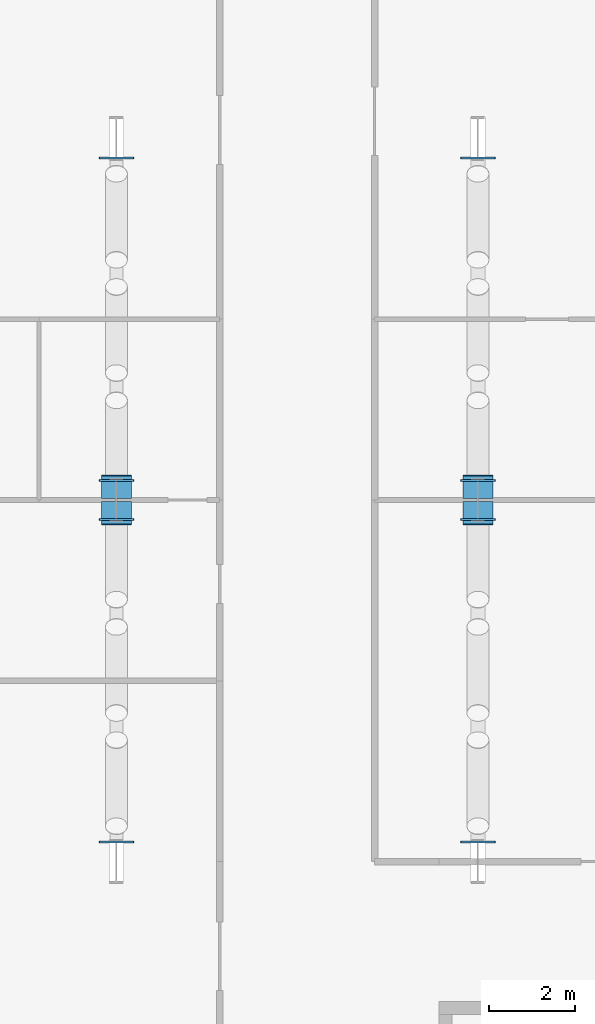
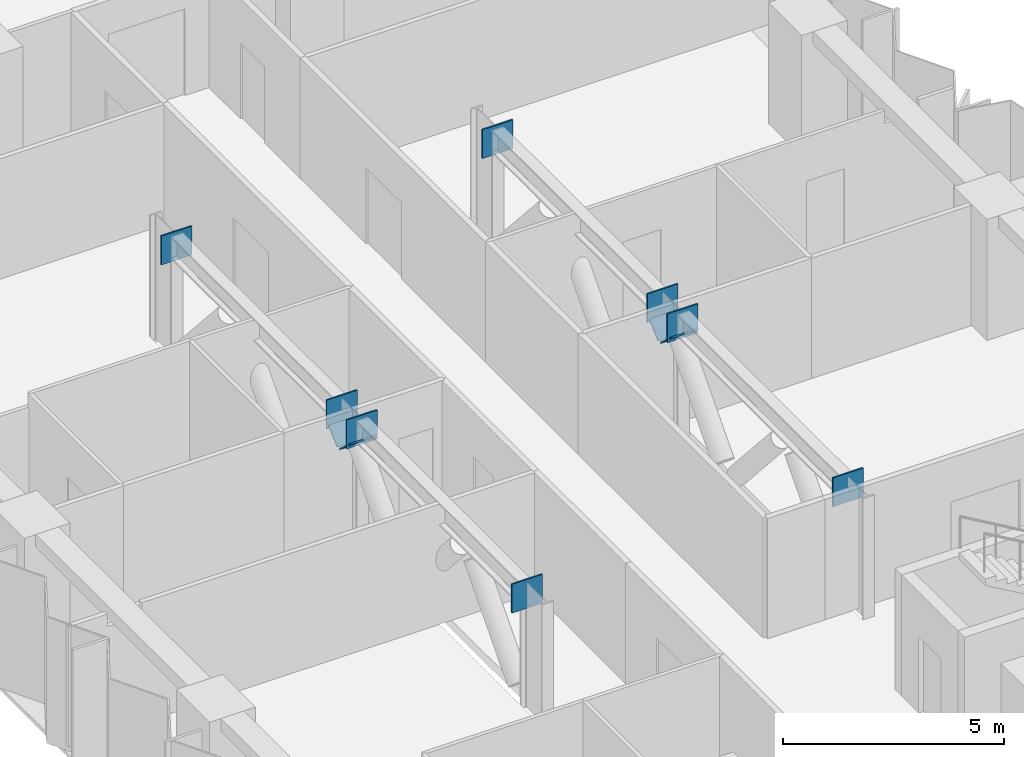
# One storey, part 15 of 18: 12 discrete accessories.
"""IFC4 building model written with IfcOpenShell, lengths in metres."""

from ifc_helpers import new_model, si_unit, direction, frame, origin, origin_2d, place, context, subcontext, project, spatial, rectangle, extrude, material, layer, layer_set, type_object, element, save


model = new_model("IFC4")

# Units and contexts
model_context = context("Model", 3, precision=1e-05, world=origin(), true_north=direction((0.0, 1.0)))
body_context = subcontext(model_context, "Body", "Model", "MODEL_VIEW")
ifc_project = project(units=[si_unit("LENGTHUNIT", "METRE"), si_unit("AREAUNIT", "SQUARE_METRE"), si_unit("VOLUMEUNIT", "CUBIC_METRE"), si_unit("PLANEANGLEUNIT", "RADIAN"), si_unit("MASSUNIT", "GRAM", prefix="KILO")], contexts=[model_context])

# Site, building, storey
site_placement = place(None, origin())
site = spatial("IfcSite", under=ifc_project, at=site_placement, CompositionType="ELEMENT")
building_placement = place(site_placement, origin())
building = spatial("IfcBuilding", under=site, at=building_placement, Name="Brevane Broadcast Tower", CompositionType="ELEMENT")
storey_placement = place(building_placement, frame((0.0, 0.0, 40.10009765625)))
storey = spatial("IfcBuildingStorey", under=building, at=storey_placement, Name="L07", CompositionType="ELEMENT", Elevation=40.10009765625)

# Discrete accessories
ifc_material = material(Name="Steel S355", Category="steel")
ifc_layer_1 = layer(ifc_material, 0.0400390625)
ifc_layer_set_1 = layer_set([ifc_layer_1], Name="Gusset plate 700x700x40 S355")
discrete_accessory_type_1 = type_object("IfcDiscreteAccessoryType", Name="Gusset plate 700x700x40 S355", PredefinedType="ANCHORPLATE", material=ifc_layer_set_1)
for number, where, z_axis, x_axis, name in (
    (1, (8.39990234375, 41.678955078125, 2.578125), (0.0, 0.663230066188, 0.748415579277), (-1.0, 0.0, 0.0), "Gusset plate GP1-190"),
    (2, (8.39990234375, 42.321044921875, 2.578125), (0.0, -0.663230066188, 0.748415579277), (1.0, 0.0, 0.0), "Gusset plate GP1-191"),
    (3, (16.800048828125, 41.678955078125, 2.578125), (0.0, 0.663230066188, 0.748415579277), (-1.0, 0.0, 0.0), "Gusset plate GP1-206"),
    (4, (16.800048828125, 42.321044921875, 2.578125), (0.0, -0.663230066188, 0.748415579277), (1.0, 0.0, 0.0), "Gusset plate GP1-207"),
):
    element("IfcDiscreteAccessory", number, at=place(storey_placement, frame(where, z_axis=z_axis, x_axis=x_axis)), inside=storey, type_object=discrete_accessory_type_1, Name=name, PredefinedType="ANCHORPLATE", context=body_context, shape_type="SweptSolid", body=[
        extrude(rectangle(XDim=0.699951171875, YDim=0.699951171875, at=origin_2d()), origin(), (0.0, 0.0, 1.0), 0.0400390625),
    ])
ifc_layer_2 = layer(ifc_material, 0.0400390625)
ifc_layer_set_2 = layer_set([ifc_layer_2], Name="Gusset plate 800x800x40 S355")
discrete_accessory_type_2 = type_object("IfcDiscreteAccessoryType", Name="Gusset plate 800x800x40 S355", PredefinedType="ANCHORPLATE", material=ifc_layer_set_2)
for number, where, z_axis, x_axis, name in (
    (5, (8.39990234375, 34.033935546875, 3.039794921875), (0.0, 1.0, 0.0), (-1.0, 0.0, 0.0), "Gusset plate GP5-184"),
    (6, (8.39990234375, 41.52587890625, 3.039794921875), (0.0, 1.0, 0.0), (-1.0, 0.0, 0.0), "Gusset plate GP5-185"),
    (7, (8.39990234375, 42.43408203125, 3.039794921875), (0.0, 1.0, 0.0), (-1.0, 0.0, 0.0), "Gusset plate GP5-186"),
    (8, (8.39990234375, 49.926025390625, 3.039794921875), (0.0, 1.0, 0.0), (-1.0, 0.0, 0.0), "Gusset plate GP5-187"),
    (9, (16.800048828125, 34.033935546875, 3.039794921875), (0.0, 1.0, 0.0), (-1.0, 0.0, 0.0), "Gusset plate GP5-200"),
    (10, (16.800048828125, 41.52587890625, 3.039794921875), (0.0, 1.0, 0.0), (-1.0, 0.0, 0.0), "Gusset plate GP5-201"),
    (11, (16.800048828125, 42.43408203125, 3.039794921875), (0.0, 1.0, 0.0), (-1.0, 0.0, 0.0), "Gusset plate GP5-202"),
    (12, (16.800048828125, 49.926025390625, 3.039794921875), (0.0, 1.0, 0.0), (-1.0, 0.0, 0.0), "Gusset plate GP5-203"),
):
    element("IfcDiscreteAccessory", number, at=place(storey_placement, frame(where, z_axis=z_axis, x_axis=x_axis)), inside=storey, type_object=discrete_accessory_type_2, Name=name, PredefinedType="ANCHORPLATE", context=body_context, shape_type="SweptSolid", body=[
        extrude(rectangle(XDim=0.800048828125, YDim=0.800048828125, at=origin_2d()), origin(), (0.0, 0.0, 1.0), 0.0400390625),
    ])

save(model, "model.ifc")
